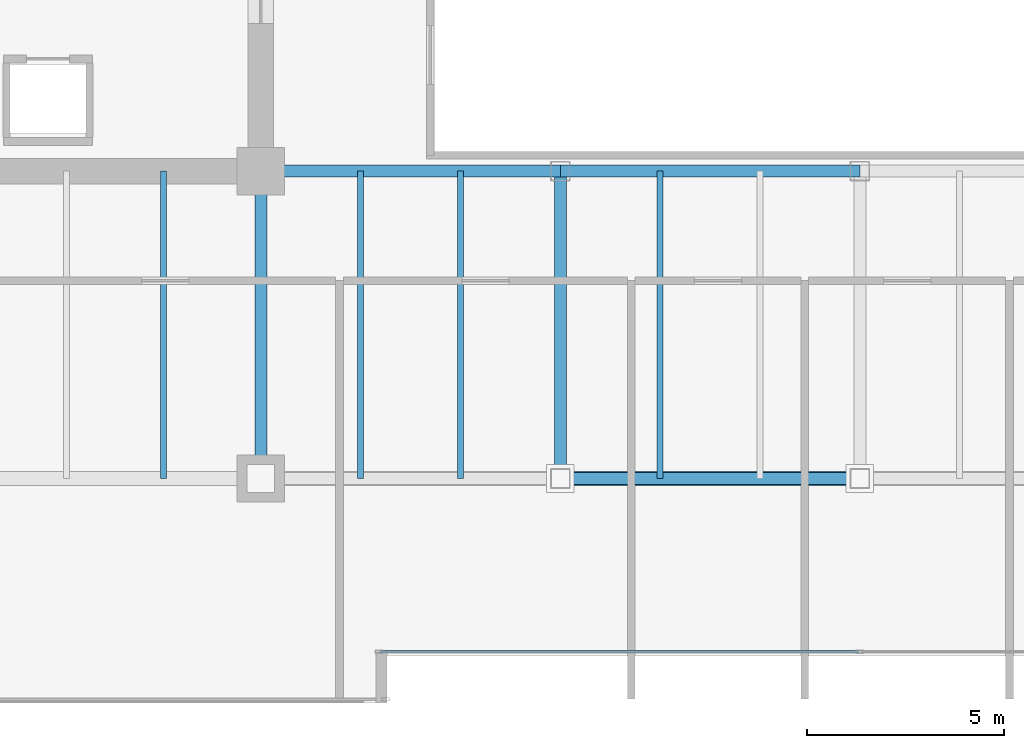
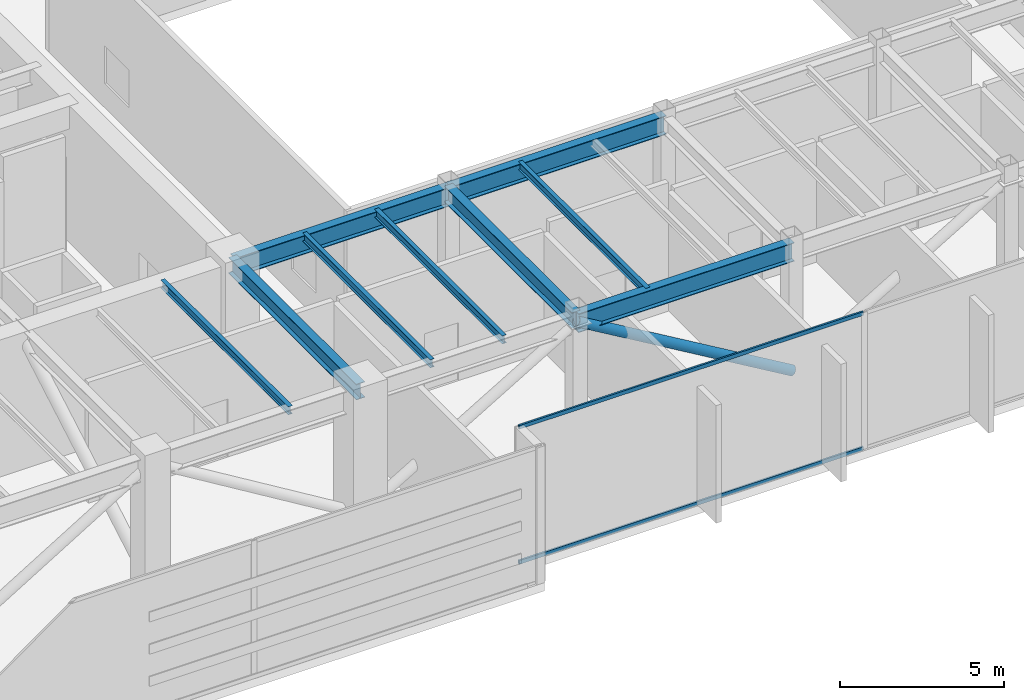
# One storey, part 5 of 34: 9 beams, 3 members, 1 element without a shape of its own.
"""IFC4 building model written with IfcOpenShell, lengths in metres."""

from ifc_helpers import new_model, si_unit, direction, frame, origin, origin_2d, place, context, subcontext, project, spatial, hollow_rectangle, hollow_circle, i_section, extrude, source, transform, mapped, material, layer, layer_set, material_profile, profile_set, type_object, type_shapes, element, aggregate, save


model = new_model("IFC4")

# Units and contexts
model_context = context("Model", 3, precision=1e-05, world=origin(), true_north=direction((0.0, 1.0)))
body_context = subcontext(model_context, "Body", "Model", "MODEL_VIEW")
ifc_project = project(units=[si_unit("LENGTHUNIT", "METRE"), si_unit("AREAUNIT", "SQUARE_METRE"), si_unit("VOLUMEUNIT", "CUBIC_METRE"), si_unit("PLANEANGLEUNIT", "RADIAN"), si_unit("MASSUNIT", "GRAM", prefix="KILO")], contexts=[model_context])

# Site, building, storey
site_placement = place(None, origin())
site = spatial("IfcSite", under=ifc_project, at=site_placement, CompositionType="ELEMENT")
building_placement = place(site_placement, origin())
building = spatial("IfcBuilding", under=site, at=building_placement, Name="Haelvirn Gate Laboratories", CompositionType="ELEMENT")
storey_placement = place(building_placement, frame((0.0, 0.0, 191.199951171875)))
storey = spatial("IfcBuildingStorey", under=building, at=storey_placement, Name="L46", CompositionType="ELEMENT", Elevation=191.199951171875)

# Beams
ifc_material_1 = material(Name="Steel SM355", Category="steel")
ifc_material_profile_1 = material_profile(ifc_material_1, i_section(OverallWidth=0.300048828125, OverallDepth=0.699951171875, WebThickness=0.012939453125, FlangeThickness=0.02392578125, at=origin_2d()), Name="H-700x300x13x24")
ifc_profile_set_1 = profile_set([ifc_material_profile_1], Name="Steel SM355")
beam_type_1 = type_object("IfcBeamType", Name="BM-G-700", PredefinedType="BEAM", material=ifc_profile_set_1)
shared_shape_1 = source(origin(), body_context, "Body", "SweptSolid", [
    extrude(i_section(OverallWidth=0.300048828125, OverallDepth=0.699951171875, WebThickness=0.012939453125, FlangeThickness=0.02392578125, at=origin_2d()), origin(), (0.0, 0.0, 1.0), 7.60009765625),
])
beam_placement = place(storey_placement, frame((22.199951171875, 14.800048828125, 4.75), z_axis=(1.0, 0.0, 0.0), x_axis=(0.0, 1.0, 0.0)))
element("IfcBeam", 1, at=beam_placement, inside=storey, type_object=beam_type_1, Name="L46 Primary Girder Y14.8 (22.2-29.8)", PredefinedType="BEAM", context=body_context, shape_type="MappedRepresentation", body=[
    mapped(shared_shape_1, transform((0.0, 0.0, 0.0), scale=1.0)),
])
shared_shape_2 = source(origin(), body_context, "Body", "SweptSolid", [
    extrude(i_section(OverallWidth=0.300048828125, OverallDepth=0.699951171875, WebThickness=0.012939453125, FlangeThickness=0.02392578125, at=origin_2d()), origin(), (0.0, 0.0, 1.0), 7.599853515625),
])
type_shapes(beam_type_1, [shared_shape_1, shared_shape_2])
for number, where, z_axis, x_axis, name in (
    (2, (29.800048828125, 7.0, 4.75), (1.0, 0.0, 0.0), (0.0, 1.0, 0.0), "L46 Primary Girder Y7.0 (29.8-37.4)"),
    (3, (29.800048828125, 14.800048828125, 4.75), (1.0, 0.0, 0.0), (0.0, 1.0, 0.0), "L46 Primary Girder Y14.8 (29.8-37.4)"),
):
    element("IfcBeam", number, at=place(storey_placement, frame(where, z_axis=z_axis, x_axis=x_axis)), inside=storey, type_object=beam_type_1, Name=name, PredefinedType="BEAM", context=body_context, shape_type="MappedRepresentation", body=[
        mapped(shared_shape_2, transform((0.0, 0.0, 0.0), scale=1.0)),
    ])
ifc_material_profile_2 = material_profile(ifc_material_1, i_section(OverallWidth=0.14990234375, OverallDepth=0.300048828125, WebThickness=0.006591796875, FlangeThickness=0.009033203125, at=origin_2d()), Name="H-300x150x6.5x9")
ifc_profile_set_2 = profile_set([ifc_material_profile_2], Name="Steel SM355")
beam_type_2 = type_object("IfcBeamType", Name="BM-J-300", PredefinedType="JOIST", material=ifc_profile_set_2)
shared_shape_3 = source(origin(), body_context, "Body", "SweptSolid", [
    extrude(i_section(OverallWidth=0.14990234375, OverallDepth=0.300048828125, WebThickness=0.006591796875, FlangeThickness=0.009033203125, at=origin_2d()), origin(), (0.0, 0.0, 1.0), 7.800048828125),
])
type_shapes(beam_type_2, [shared_shape_3])
for number, where, z_axis, x_axis, name in (
    (4, (19.72998046875, 7.0, 4.949951171875), (0.0, 1.0, 0.0), (-1.0, 0.0, 0.0), "L46 Composite Lab Joist South X19.73"),
    (5, (24.72998046875, 7.0, 4.949951171875), (0.0, 1.0, 0.0), (-1.0, 0.0, 0.0), "L46 Composite Lab Joist South X24.73"),
    (6, (27.27001953125, 7.0, 4.949951171875), (0.0, 1.0, 0.0), (-1.0, 0.0, 0.0), "L46 Composite Lab Joist South X27.27"),
    (7, (32.330078125, 7.0, 4.949951171875), (0.0, 1.0, 0.0), (-1.0, 0.0, 0.0), "L46 Composite Lab Joist South X32.33"),
):
    element("IfcBeam", number, at=place(storey_placement, frame(where, z_axis=z_axis, x_axis=x_axis)), inside=storey, type_object=beam_type_2, Name=name, PredefinedType="JOIST", context=body_context, shape_type="MappedRepresentation", body=[
        mapped(shared_shape_3, transform((0.0, 0.0, 0.0), scale=1.0)),
    ])
ifc_material_profile_3 = material_profile(ifc_material_1, i_section(OverallWidth=0.300048828125, OverallDepth=0.587890625, WebThickness=0.011962890625, FlangeThickness=0.02001953125, at=origin_2d()), Name="H-588x300x12x20")
ifc_profile_set_3 = profile_set([ifc_material_profile_3], Name="Steel SM355")
beam_type_3 = type_object("IfcBeamType", Name="BM-G-588", PredefinedType="BEAM", material=ifc_profile_set_3)
shared_shape_4 = source(origin(), body_context, "Body", "SweptSolid", [
    extrude(i_section(OverallWidth=0.300048828125, OverallDepth=0.587890625, WebThickness=0.011962890625, FlangeThickness=0.02001953125, at=origin_2d()), origin(), (0.0, 0.0, 1.0), 7.800048828125),
])
type_shapes(beam_type_3, [shared_shape_4])
for number, where, z_axis, x_axis, name in (
    (8, (22.199951171875, 7.0, 4.80615234375), (0.0, 1.0, 0.0), (-1.0, 0.0, 0.0), "L46 Frame Girder X22.2 (7.0-14.8)"),
    (9, (29.800048828125, 7.0, 4.80615234375), (0.0, 1.0, 0.0), (-1.0, 0.0, 0.0), "L46 Frame Girder X29.8 (7.0-14.8)"),
):
    element("IfcBeam", number, at=place(storey_placement, frame(where, z_axis=z_axis, x_axis=x_axis)), inside=storey, type_object=beam_type_3, Name=name, PredefinedType="BEAM", context=body_context, shape_type="MappedRepresentation", body=[
        mapped(shared_shape_4, transform((0.0, 0.0, 0.0), scale=1.0)),
    ])

# Member
ifc_material_profile_4 = material_profile(ifc_material_1, hollow_circle(Radius=0.177734375, WallThickness=0.013916015625, at=origin_2d()), Name="CHS-355x14")
ifc_profile_set_4 = profile_set([ifc_material_profile_4], Name="Steel SM355")
member_type_1 = type_object("IfcMemberType", Name="MEM-BELT-1", PredefinedType="STRUT", material=ifc_profile_set_4)
shared_shape_5 = source(origin(), body_context, "Body", "SweptSolid", [
    extrude(hollow_circle(Radius=0.177734375, WallThickness=0.013916015625, at=origin_2d()), origin(), (0.0, 0.0, 1.0), 8.832275390625),
])
type_shapes(member_type_1, [shared_shape_5])
member_1_placement = place(storey_placement, frame((29.800048828125, 7.0, 4.75), z_axis=(0.860471083771, 0.0, -0.509499277717), x_axis=(0.0, 1.0, 0.0)))
element("IfcMember", 10, at=member_1_placement, inside=storey, type_object=member_type_1, Name="L46 Perimeter Belt Truss S4", PredefinedType="STRUT", context=body_context, shape_type="MappedRepresentation", body=[
    mapped(shared_shape_5, transform((0.0, 0.0, 0.0), scale=1.0)),
])

# Curtain wall, members
ifc_material_2 = material(Name="Anodised bronze unitised aluminium & triple low-E glass", Category="aluminium")
ifc_layer = layer(ifc_material_2, 0.179931640625, Name="CW-SYS-3")
ifc_layer_set = layer_set([ifc_layer], Name="Anodised bronze unitised aluminium & triple low-E glass")
curtain_wall_type = type_object("IfcCurtainWallType", Name="CW-SYS-3", PredefinedType="NOTDEFINED", material=ifc_layer_set)
curtain_wall_placement = place(storey_placement, origin())
curtain_wall = element("IfcCurtainWall", 11, at=curtain_wall_placement, inside=storey, type_object=curtain_wall_type, Name="L46 Unitised Curtain Wall CW-L46-P0-E02-1", PredefinedType="NOTDEFINED")
ifc_material_3 = material(Name="Extruded aluminium 6063-T6 (anodised bronze)", Category="aluminium")
ifc_material_profile_5 = material_profile(ifc_material_3, hollow_rectangle(XDim=0.06494140625, YDim=0.139892578125, WallThickness=0.00390625, at=origin_2d()), Name="CWT-140x65x4")
ifc_profile_set_5 = profile_set([ifc_material_profile_5], Name="Extruded aluminium 6063-T6 (anodised bronze)")
member_type_2 = type_object("IfcMemberType", Name="CWT-T140", PredefinedType="USERDEFINED", material=ifc_profile_set_5)
shared_shape_6 = source(origin(), body_context, "Body", "SweptSolid", [
    extrude(hollow_rectangle(XDim=0.06494140625, YDim=0.139892578125, WallThickness=0.00390625, at=origin_2d()), origin(), (0.0, 0.0, 1.0), 12.12744140625),
])
type_shapes(member_type_2, [shared_shape_6])
member_2_placement = place(storey_placement, frame((25.235107421875, 2.60009765625, 0.032470703125), z_axis=(1.0, 0.0, 0.0), x_axis=(0.0, 1.0, 0.0)))
member_2 = element("IfcMember", 12, at=member_2_placement, type_object=member_type_2, Name="CW3 transom 1.1", ObjectType="TRANSOM", PredefinedType="USERDEFINED", context=body_context, shape_type="MappedRepresentation", body=[
    mapped(shared_shape_6, transform((0.0, 0.0, 0.0), scale=1.0)),
])
member_3_placement = place(storey_placement, frame((25.235107421875, 2.60009765625, 5.067626953125), z_axis=(1.0, 0.0, 0.0), x_axis=(0.0, 1.0, 0.0)))
member_3 = element("IfcMember", 13, at=member_3_placement, type_object=member_type_2, Name="CW3 transom 1.2", ObjectType="TRANSOM", PredefinedType="USERDEFINED", context=body_context, shape_type="MappedRepresentation", body=[
    mapped(shared_shape_6, transform((0.0, 0.0, 0.0), scale=1.0)),
])
aggregate(curtain_wall, [member_2, member_3])

save(model, "model.ifc")
